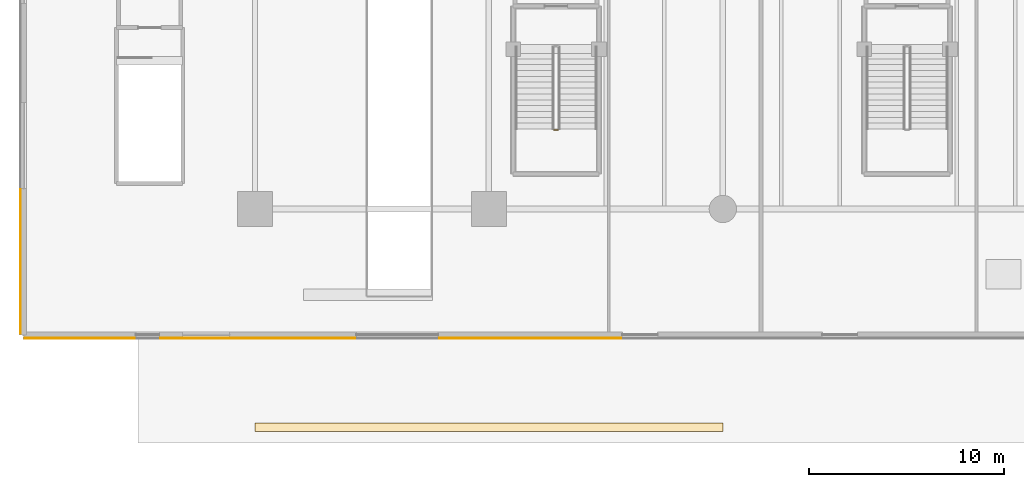
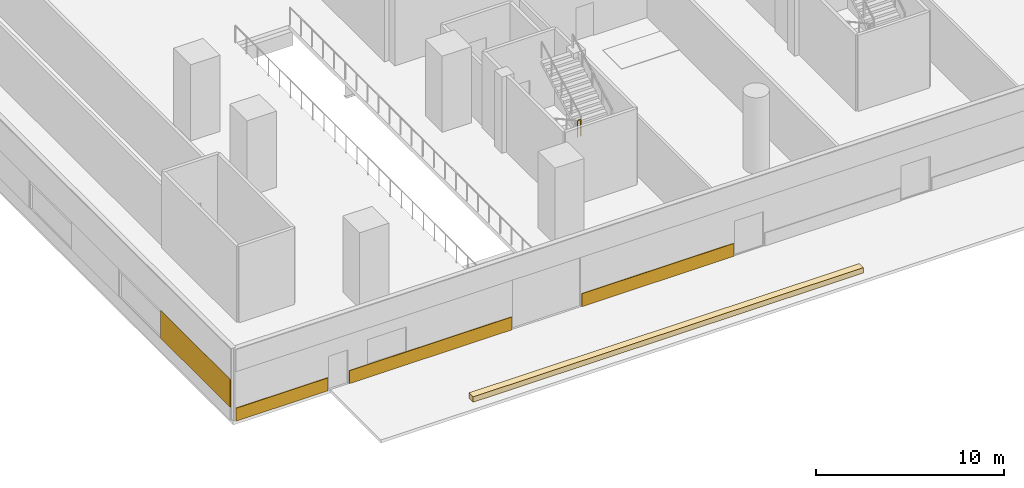
# One storey, part 14 of 25: 5 coverings, 1 railing.
"""IFC4 building model written with IfcOpenShell, lengths in metres."""

from ifc_helpers import new_model, si_unit, direction, frame, origin, origin_2d, place, context, subcontext, project, spatial, polyline, rectangle, outline, extrude, material, layer, layer_set, type_object, element, save


model = new_model("IFC4")

# Units and contexts
model_context = context("Model", 3, precision=1e-05, world=origin(), true_north=direction((0.0, 1.0)))
body_context = subcontext(model_context, "Body", "Model", "MODEL_VIEW")
ifc_project = project(units=[si_unit("LENGTHUNIT", "METRE"), si_unit("AREAUNIT", "SQUARE_METRE"), si_unit("VOLUMEUNIT", "CUBIC_METRE"), si_unit("PLANEANGLEUNIT", "RADIAN"), si_unit("MASSUNIT", "GRAM", prefix="KILO")], contexts=[model_context])

# Site, building, storey
site_placement = place(None, origin())
site = spatial("IfcSite", under=ifc_project, at=site_placement, CompositionType="ELEMENT")
building_placement = place(site_placement, origin())
building = spatial("IfcBuilding", under=site, at=building_placement, Name="Tanjung Sevakor Pilgrim Tower", CompositionType="ELEMENT")
storey_placement = place(building_placement, origin())
storey = spatial("IfcBuildingStorey", under=building, at=storey_placement, Name="L01", CompositionType="ELEMENT", Elevation=0.0)

# Coverings
ifc_material_1 = material(Name="Reconstructed Limestone Cladding", Category="masonry")
ifc_layer_1 = layer(ifc_material_1, 0.044921875)
ifc_layer_set_1 = layer_set([ifc_layer_1], Name="COV-CLAD-LIMESTONE")
covering_type_1 = type_object("IfcCoveringType", Name="COV-CLAD-LIMESTONE", PredefinedType="CLADDING", material=ifc_layer_set_1)
covering_1_placement = place(storey_placement, frame((3.014892578125, -0.0224609375, 0.009765625), z_axis=(0.0, 0.0, 1.0), x_axis=(1.0, 0.0, 0.0)))
element("IfcCovering", 1, at=covering_1_placement, inside=storey, type_object=covering_type_1, Name="L01 Warm Limestone Sill Spandrel EW-L01-MAIN-1-1", PredefinedType="CLADDING", context=body_context, shape_type="SweptSolid", body=[
    extrude(rectangle(XDim=5.64990234375, YDim=0.044921875, at=origin_2d()), origin(), (0.0, 0.0, 1.0), 0.840087890625),
])
covering_2_placement = place(storey_placement, frame((12.14990234375, -0.0224609375, 0.009765625), z_axis=(0.0, 0.0, 1.0), x_axis=(1.0, 0.0, 0.0)))
element("IfcCovering", 2, at=covering_2_placement, inside=storey, type_object=covering_type_1, Name="L01 Warm Limestone Sill Spandrel EW-L01-MAIN-1-2", PredefinedType="CLADDING", context=body_context, shape_type="SweptSolid", body=[
    extrude(rectangle(XDim=9.97998046875, YDim=0.044921875, at=origin_2d()), origin(), (0.0, 0.0, 1.0), 0.840087890625),
])
covering_3_placement = place(storey_placement, frame((26.125, -0.0224609375, 0.009765625), z_axis=(0.0, 0.0, 1.0), x_axis=(1.0, 0.0, 0.0)))
element("IfcCovering", 3, at=covering_3_placement, inside=storey, type_object=covering_type_1, Name="L01 Warm Limestone Sill Spandrel EW-L01-MAIN-1-3", PredefinedType="CLADDING", context=body_context, shape_type="SweptSolid", body=[
    extrude(rectangle(XDim=9.330078125, YDim=0.044921875, at=origin_2d()), origin(), (0.0, 0.0, 1.0), 0.840087890625),
])
covering_4_placement = place(storey_placement, frame((-0.0224609375, 3.89501953125, 0.849853515625), z_axis=(0.0, 0.0, 1.0), x_axis=(0.0, -1.0, 0.0)))
element("IfcCovering", 4, at=covering_4_placement, inside=storey, type_object=covering_type_1, Name="L01 Warm Limestone Pier Panel EW-L01-MAIN-4-6", PredefinedType="CLADDING", context=body_context, shape_type="SweptSolid", body=[
    extrude(rectangle(XDim=7.409912109375, YDim=0.044921875, at=origin_2d()), origin(), (0.0, 0.0, 1.0), 1.81005859375),
])
ifc_material_2 = material(Name="Vegetated Modular Planter Assembly", Category="organic")
ifc_layer_2 = layer(ifc_material_2, 0.35009765625)
ifc_layer_set_2 = layer_set([ifc_layer_2], Name="COV-GRN-TROUGH")
covering_type_2 = type_object("IfcCoveringType", Name="COV-GRN-TROUGH", PredefinedType="CLADDING", material=ifc_layer_set_2)
covering_5_placement = place(storey_placement, origin())
element("IfcCovering", 5, at=covering_5_placement, inside=storey, type_object=covering_type_2, Name="L01 Planted Landscape Hedge Trough PLZ-GRN-L01-1", PredefinedType="CLADDING", context=body_context, shape_type="SweptSolid", body=[
    extrude(outline(polyline([(12.0, -4.820068359375), (36.0, -4.820068359375), (36.0, -4.3798828125), (12.0, -4.3798828125), (12.0, -4.820068359375)])), origin(), (0.0, 0.0, 1.0), 0.35009765625),
])

# Railing
ifc_material_3 = material(Name="Steel S355J2", Category="steel")
railing_type = type_object("IfcRailingType", Name="RL-STAIR-GUARD", PredefinedType="GUARDRAIL", material=ifc_material_3)
railing_placement = place(storey_placement, frame((27.35009765625, 10.64990234375, 2.47509765625)))
element("IfcRailing", 6, at=railing_placement, inside=storey, type_object=railing_type, Name="L01 PS-1 stair guard 2", PredefinedType="GUARDRAIL", context=body_context, shape_type="SweptSolid", body=[
    extrude(rectangle(XDim=0.0479, YDim=0.0479), frame((0.0, 0.0, 1.076171875), z_axis=(1.0, 0.0, 0.0), x_axis=(0.0, 1.0, 0.0)), (0.0, 0.0, 1.0), 0.199951171875),
    extrude(rectangle(XDim=0.042, YDim=0.042), origin(), (0.0, 0.0, 1.0), 1.052001953125),
    extrude(rectangle(XDim=0.042, YDim=0.042), frame((0.199951171875, 0.0, 0.0)), (0.0, 0.0, 1.0), 1.052001953125),
])

save(model, "model.ifc")
